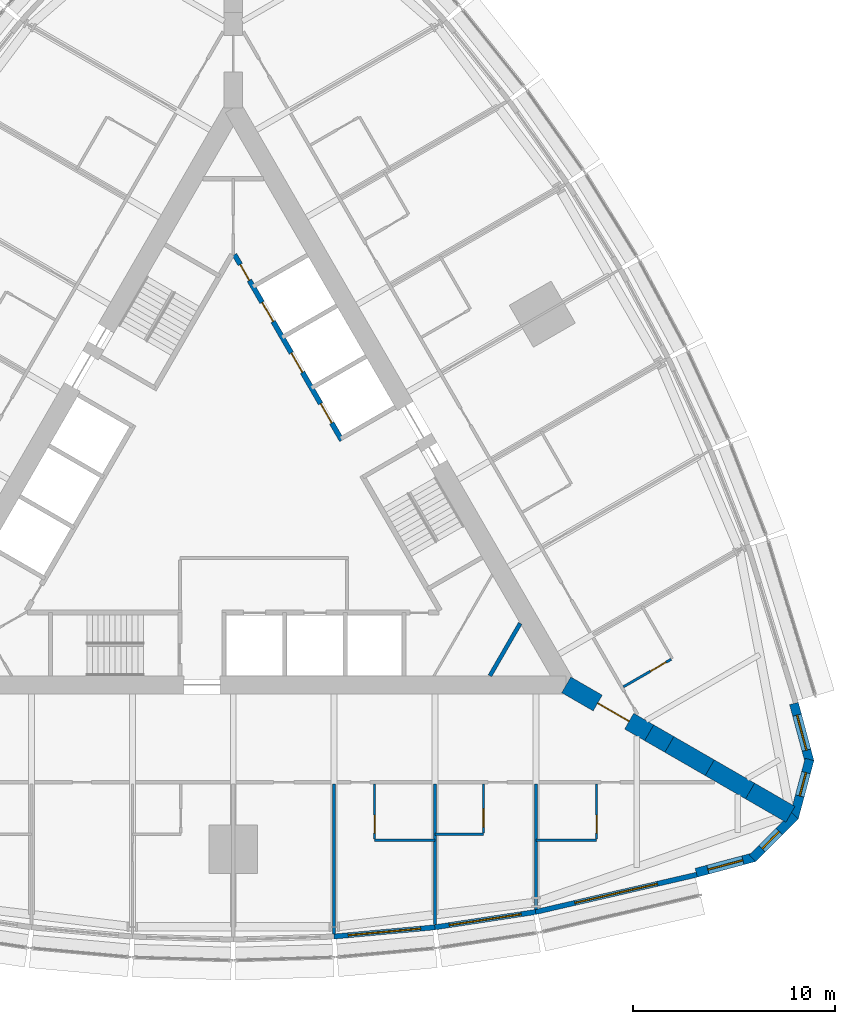
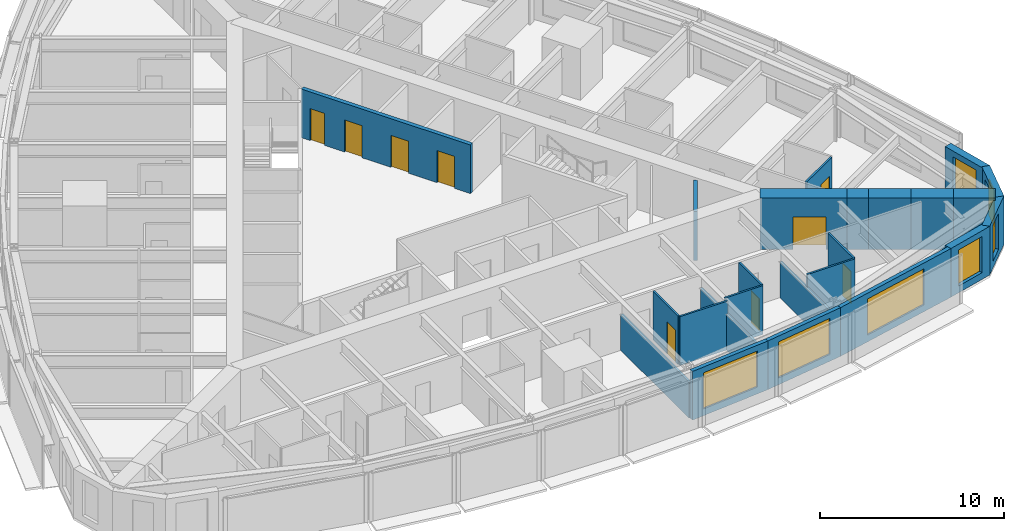
# One storey, part 10 of 14: 24 walls, 9 doors, 7 windows, 16 openings.
"""IFC4 building model written with IfcOpenShell, lengths in metres."""

from ifc_helpers import new_model, si_unit, direction, frame, frame_2d, origin, place, context, subcontext, project, spatial, polyline, rectangle, outline, extrude, material, layer, layer_set, type_object, element, fill, save


model = new_model("IFC4")

# Units and contexts
model_context = context("Model", 3, precision=1e-05, world=origin(), true_north=direction((0.0, 1.0)))
body_context = subcontext(model_context, "Body", "Model", "MODEL_VIEW")
ifc_project = project(units=[si_unit("LENGTHUNIT", "METRE"), si_unit("AREAUNIT", "SQUARE_METRE"), si_unit("VOLUMEUNIT", "CUBIC_METRE"), si_unit("PLANEANGLEUNIT", "RADIAN"), si_unit("MASSUNIT", "GRAM", prefix="KILO")], contexts=[model_context])

# Site, building, storey
site_placement = place(None, origin())
site = spatial("IfcSite", under=ifc_project, at=site_placement, CompositionType="ELEMENT")
building_placement = place(site_placement, origin())
building = spatial("IfcBuilding", under=site, at=building_placement, Name="Trikona Tower", CompositionType="ELEMENT")
storey_placement = place(building_placement, frame((0.0, 0.0, 76.10009765625)))
storey = spatial("IfcBuildingStorey", under=building, at=storey_placement, Name="L19", CompositionType="ELEMENT", Elevation=76.10009765625)

# Wall
ifc_material_1 = material(Name="Metal stud and cement board", Category="gypsum")
ifc_layer_1 = layer(ifc_material_1, 0.1201171875)
ifc_layer_set_1 = layer_set([ifc_layer_1], Name="Bathroom wall 120")
wall_type_1 = type_object("IfcWallType", Name="Bathroom wall 120", PredefinedType="PLUMBINGWALL", material=ifc_layer_set_1)
wall_1_placement = place(storey_placement, frame((7.0, -17.226318359375, 0.0), z_axis=(0.0, 0.0, 1.0), x_axis=(1.0, 0.0, 0.0)))
element("IfcWall", 1, at=wall_1_placement, inside=storey, type_object=wall_type_1, Name="Bathroom wall 1904", PredefinedType="PLUMBINGWALL", context=body_context, shape_type="SweptSolid", body=[
    extrude(rectangle(XDim=3.0, YDim=0.1201171875, at=frame_2d((1.5, 0.0))), origin(), (0.0, 0.0, 1.0), 3.23486328125),
])

# Wall, opening, door
wall_2_placement = place(storey_placement, frame((7.0, -14.42626953125, 0.0), z_axis=(0.0, 0.0, 1.0), x_axis=(0.0, -1.0, 0.0)))
wall_2 = element("IfcWall", 2, at=wall_2_placement, inside=storey, type_object=wall_type_1, Name="Bathroom wall 1904", PredefinedType="PLUMBINGWALL", context=body_context, shape_type="SweptSolid", body=[
    extrude(rectangle(XDim=2.739990234375, YDim=0.1201171875, at=frame_2d((1.3701171875, 0.0))), origin(), (0.0, 0.0, 1.0), 3.23486328125),
])
opening_1_placement = place(wall_2_placement, frame((1.550048828125, 0.0, 0.0)))
opening_1 = element("IfcOpeningElement", 3, at=opening_1_placement, cuts=wall_2, Name="Opening D2", PredefinedType="OPENING", context=body_context, shape_type="SweptSolid", body=[
    extrude(rectangle(XDim=0.89990234375, YDim=2.1298828125, at=frame_2d((0.449951171875, 1.06494140625))), frame((0.0, 0.070068359375, 0.0), z_axis=(0.0, -1.0, 0.0), x_axis=(1.0, 0.0, 0.0)), (0.0, 0.0, 1.0), 0.14013671875),
])
ifc_material_2 = material(Name="Steel door frame with solid-core timber leaf", Category="steel")
door_type_1 = type_object("IfcDoorType", Name="Bathroom door 900x2130", OperationType="SLIDING_TO_LEFT", PredefinedType="DOOR", material=ifc_material_2)
door_1_placement = place(opening_1_placement, origin())
door_1 = element("IfcDoor", 4, at=door_1_placement, inside=storey, type_object=door_type_1, Name="Bathroom door 1904", OperationType="SLIDING_TO_LEFT", OverallHeight=2.1298828125, OverallWidth=0.89990234375, PredefinedType="DOOR", context=body_context, shape_type="SweptSolid", body=[
    extrude(rectangle(XDim=0.89990234375, YDim=2.1298828125, at=frame_2d((0.449951171875, 1.06494140625))), frame((0.0, 0.02490234375, 0.0), z_axis=(0.0, -1.0, 0.0), x_axis=(1.0, 0.0, 0.0)), (0.0, 0.0, 1.0), 0.050048828125),
])
fill(opening_1, door_1)

# Wall
wall_3_placement = place(storey_placement, frame((10.0, -16.92626953125, 0.0), z_axis=(0.0, 0.0, 1.0), x_axis=(1.0, 0.0, 0.0)))
element("IfcWall", 5, at=wall_3_placement, inside=storey, type_object=wall_type_1, Name="Bathroom wall 1905", PredefinedType="PLUMBINGWALL", context=body_context, shape_type="SweptSolid", body=[
    extrude(rectangle(XDim=2.39990234375, YDim=0.1201171875, at=frame_2d((1.199951171875, 0.0))), origin(), (0.0, 0.0, 1.0), 3.23486328125),
])

# Wall, opening, door
wall_4_placement = place(storey_placement, frame((12.39990234375, -14.42626953125, 0.0), z_axis=(0.0, 0.0, 1.0), x_axis=(0.0, -1.0, 0.0)))
wall_4 = element("IfcWall", 6, at=wall_4_placement, inside=storey, type_object=wall_type_1, Name="Bathroom wall 1905", PredefinedType="PLUMBINGWALL", context=body_context, shape_type="SweptSolid", body=[
    extrude(rectangle(XDim=2.43994140625, YDim=0.1201171875, at=frame_2d((1.219970703125, 0.0))), origin(), (0.0, 0.0, 1.0), 3.23486328125),
])
opening_2_placement = place(wall_4_placement, frame((1.25, 0.0, 0.0)))
opening_2 = element("IfcOpeningElement", 7, at=opening_2_placement, cuts=wall_4, Name="Opening D2", PredefinedType="OPENING", context=body_context, shape_type="SweptSolid", body=[
    extrude(rectangle(XDim=0.89990234375, YDim=2.1298828125, at=frame_2d((0.449951171875, 1.06494140625))), frame((0.0, 0.070068359375, 0.0), z_axis=(0.0, -1.0, 0.0), x_axis=(1.0, 0.0, 0.0)), (0.0, 0.0, 1.0), 0.14013671875),
])
door_2_placement = place(opening_2_placement, origin())
door_2 = element("IfcDoor", 8, at=door_2_placement, inside=storey, type_object=door_type_1, Name="Bathroom door 1905", OperationType="SLIDING_TO_LEFT", OverallHeight=2.1298828125, OverallWidth=0.89990234375, PredefinedType="DOOR", context=body_context, shape_type="SweptSolid", body=[
    extrude(rectangle(XDim=0.89990234375, YDim=2.1298828125, at=frame_2d((0.449951171875, 1.06494140625))), frame((0.0, 0.02490234375, 0.0), z_axis=(0.0, -1.0, 0.0), x_axis=(1.0, 0.0, 0.0)), (0.0, 0.0, 1.0), 0.050048828125),
])
fill(opening_2, door_2)

# Wall
wall_5_placement = place(storey_placement, frame((15.0, -17.226318359375, 0.0), z_axis=(0.0, 0.0, 1.0), x_axis=(1.0, 0.0, 0.0)))
element("IfcWall", 9, at=wall_5_placement, inside=storey, type_object=wall_type_1, Name="Bathroom wall 1906", PredefinedType="PLUMBINGWALL", context=body_context, shape_type="SweptSolid", body=[
    extrude(rectangle(XDim=3.0, YDim=0.1201171875, at=frame_2d((1.5, 0.0))), origin(), (0.0, 0.0, 1.0), 3.23486328125),
])

# Wall, opening, door
wall_6_placement = place(storey_placement, frame((18.0, -14.42626953125, 0.0), z_axis=(0.0, 0.0, 1.0), x_axis=(0.0, -1.0, 0.0)))
wall_6 = element("IfcWall", 10, at=wall_6_placement, inside=storey, type_object=wall_type_1, Name="Bathroom wall 1906", PredefinedType="PLUMBINGWALL", context=body_context, shape_type="SweptSolid", body=[
    extrude(rectangle(XDim=2.739990234375, YDim=0.1201171875, at=frame_2d((1.3701171875, 0.0))), origin(), (0.0, 0.0, 1.0), 3.23486328125),
])
opening_3_placement = place(wall_6_placement, frame((1.550048828125, 0.0, 0.0)))
opening_3 = element("IfcOpeningElement", 11, at=opening_3_placement, cuts=wall_6, Name="Opening D2", PredefinedType="OPENING", context=body_context, shape_type="SweptSolid", body=[
    extrude(rectangle(XDim=0.89990234375, YDim=2.1298828125, at=frame_2d((0.449951171875, 1.06494140625))), frame((0.0, 0.070068359375, 0.0), z_axis=(0.0, -1.0, 0.0), x_axis=(1.0, 0.0, 0.0)), (0.0, 0.0, 1.0), 0.14013671875),
])
door_3_placement = place(opening_3_placement, origin())
door_3 = element("IfcDoor", 12, at=door_3_placement, inside=storey, type_object=door_type_1, Name="Bathroom door 1906", OperationType="SLIDING_TO_LEFT", OverallHeight=2.1298828125, OverallWidth=0.89990234375, PredefinedType="DOOR", context=body_context, shape_type="SweptSolid", body=[
    extrude(rectangle(XDim=0.89990234375, YDim=2.1298828125, at=frame_2d((0.449951171875, 1.06494140625))), frame((0.0, 0.02490234375, 0.0), z_axis=(0.0, -1.0, 0.0), x_axis=(1.0, 0.0, 0.0)), (0.0, 0.0, 1.0), 0.050048828125),
])
fill(opening_3, door_3)

wall_7_placement = place(storey_placement, frame((19.32861328125, -9.625244140625, 0.0), z_axis=(0.0, 0.0, 1.0), x_axis=(0.866035715982, 0.499982138324, 0.0)))
wall_7 = element("IfcWall", 13, at=wall_7_placement, inside=storey, type_object=wall_type_1, Name="Bathroom wall 1907", PredefinedType="PLUMBINGWALL", context=body_context, shape_type="SweptSolid", body=[
    extrude(rectangle(XDim=2.73974609375, YDim=0.1201171875, at=frame_2d((1.369873046875, 0.0))), origin(), (0.0, 0.0, 1.0), 3.23486328125),
])
opening_4_placement = place(wall_7_placement, frame((1.550048828125, 0.0, 0.0)))
opening_4 = element("IfcOpeningElement", 14, at=opening_4_placement, cuts=wall_7, Name="Opening D2", PredefinedType="OPENING", context=body_context, shape_type="SweptSolid", body=[
    extrude(rectangle(XDim=0.89990234375, YDim=2.1298828125, at=frame_2d((0.449951171875, 1.06494140625))), frame((0.0, 0.070068359375, 0.0), z_axis=(0.0, -1.0, 0.0), x_axis=(1.0, 0.0, 0.0)), (0.0, 0.0, 1.0), 0.14013671875),
])
door_4_placement = place(opening_4_placement, origin())
door_4 = element("IfcDoor", 15, at=door_4_placement, inside=storey, type_object=door_type_1, Name="Bathroom door 1907", OperationType="SLIDING_TO_LEFT", OverallHeight=2.1298828125, OverallWidth=0.89990234375, PredefinedType="DOOR", context=body_context, shape_type="SweptSolid", body=[
    extrude(rectangle(XDim=0.89990234375, YDim=2.1298828125, at=frame_2d((0.449951171875, 1.06494140625))), frame((0.0, 0.02490234375, 0.0), z_axis=(0.0, -1.0, 0.0), x_axis=(1.0, 0.0, 0.0)), (0.0, 0.0, 1.0), 0.050048828125),
])
fill(opening_4, door_4)

# Wall, opening, window
ifc_material_3 = material(Name="Brick-faced precast concrete", Category="masonry")
ifc_layer_2 = layer(ifc_material_3, 0.449951171875)
ifc_layer_set_2 = layer_set([ifc_layer_2], Name="Brick-faced corner wall 450")
wall_type_2 = type_object("IfcWallType", Name="Brick-faced corner wall 450", PredefinedType="SOLIDWALL", material=ifc_layer_set_2)
wall_8_placement = place(storey_placement, frame((22.94189453125, -18.835205078125, 0.0), z_axis=(0.0, 0.0, 1.0), x_axis=(0.965930548995, 0.258801419081, 0.0)))
wall_8 = element("IfcWall", 16, at=wall_8_placement, inside=storey, type_object=wall_type_2, Name="External wall L19-08", PredefinedType="SOLIDWALL", context=body_context, shape_type="SweptSolid", body=[
    extrude(rectangle(XDim=2.988525390625, YDim=0.449951171875, at=frame_2d((1.494140625, 0.0))), origin(), (0.0, 0.0, 1.0), 3.23486328125),
])
opening_5_placement = place(wall_8_placement, frame((0.59423828125, 0.0, 0.449951171875)))
opening_5 = element("IfcOpeningElement", 17, at=opening_5_placement, cuts=wall_8, Name="Opening W1824", PredefinedType="OPENING", context=body_context, shape_type="SweptSolid", body=[
    extrude(rectangle(XDim=1.800048828125, YDim=2.39990234375, at=frame_2d((0.89990234375, 1.199951171875))), frame((0.0, 0.23486328125, 0.0), z_axis=(0.0, -1.0, 0.0), x_axis=(1.0, 0.0, 0.0)), (0.0, 0.0, 1.0), 0.469970703125),
])
ifc_material_4 = material(Name="Aluminium-framed double glazing", Category="aluminium")
window_type_1 = type_object("IfcWindowType", Name="Window 1800x2400", PartitioningType="SINGLE_PANEL", PredefinedType="WINDOW", material=ifc_material_4)
window_1_placement = place(opening_5_placement, origin())
window_1 = element("IfcWindow", 18, at=window_1_placement, inside=storey, type_object=window_type_1, Name="Window 1906", OverallHeight=2.39990234375, OverallWidth=1.800048828125, PartitioningType="SINGLE_PANEL", PredefinedType="WINDOW", context=body_context, shape_type="SweptSolid", body=[
    extrude(rectangle(XDim=1.800048828125, YDim=2.39990234375, at=frame_2d((0.89990234375, 1.199951171875))), frame((0.0, 0.030029296875, 0.0), z_axis=(0.0, -1.0, 0.0), x_axis=(1.0, 0.0, 0.0)), (0.0, 0.0, 1.0), 0.06005859375),
])
fill(opening_5, window_1)

wall_9_placement = place(storey_placement, frame((25.727783203125, -18.1201171875, 0.0), z_axis=(0.0, 0.0, 1.0), x_axis=(0.707025086683, 0.707188466253, 0.0)))
wall_9 = element("IfcWall", 19, at=wall_9_placement, inside=storey, type_object=wall_type_2, Name="External wall L19-09", PredefinedType="SOLIDWALL", context=body_context, shape_type="SweptSolid", body=[
    extrude(outline(polyline([(2.988525390625, 0.22509765625), (2.929931640625, 0.22509765625), (2.4375, 0.093017578125), (2.402099609375, 0.22509765625), (0.0, 0.22509765625), (0.0, -0.22509765625), (2.988525390625, -0.22509765625), (2.988525390625, 0.22509765625)])), origin(), (0.0, 0.0, 1.0), 3.23486328125),
])
opening_6_placement = place(wall_9_placement, frame((0.676025390625, 0.0, 0.449951171875)))
opening_6 = element("IfcOpeningElement", 20, at=opening_6_placement, cuts=wall_9, Name="Opening W1224", PredefinedType="OPENING", context=body_context, shape_type="SweptSolid", body=[
    extrude(rectangle(XDim=1.199951171875, YDim=2.39990234375, at=frame_2d((0.60009765625, 1.199951171875))), frame((0.0, 0.23486328125, 0.0), z_axis=(0.0, -1.0, 0.0), x_axis=(1.0, 0.0, 0.0)), (0.0, 0.0, 1.0), 0.469970703125),
])
ifc_material_5 = material(Name="Aluminium-framed double glazing", Category="aluminium")
window_type_2 = type_object("IfcWindowType", Name="Window 1200x2400", PartitioningType="SINGLE_PANEL", PredefinedType="WINDOW", material=ifc_material_5)
window_2_placement = place(opening_6_placement, origin())
window_2 = element("IfcWindow", 21, at=window_2_placement, inside=storey, type_object=window_type_2, Name="Window 1906", OverallHeight=2.39990234375, OverallWidth=1.199951171875, PartitioningType="SINGLE_PANEL", PredefinedType="WINDOW", context=body_context, shape_type="SweptSolid", body=[
    extrude(rectangle(XDim=1.199951171875, YDim=2.39990234375, at=frame_2d((0.60009765625, 1.199951171875))), frame((0.0, 0.030029296875, 0.0), z_axis=(0.0, -1.0, 0.0), x_axis=(1.0, 0.0, 0.0)), (0.0, 0.0, 1.0), 0.06005859375),
])
fill(opening_6, window_2)

wall_10_placement = place(storey_placement, frame((27.78271484375, -16.107666015625, 0.0), z_axis=(0.0, 0.0, 1.0), x_axis=(0.258801419081, 0.965930548995, 0.0)))
wall_10 = element("IfcWall", 22, at=wall_10_placement, inside=storey, type_object=wall_type_2, Name="External wall L19-10", PredefinedType="SOLIDWALL", context=body_context, shape_type="SweptSolid", body=[
    extrude(outline(polyline([(2.988525390625, 0.22509765625), (0.58642578125, 0.22509765625), (0.55126953125, 0.09326171875), (0.0595703125, 0.22509765625), (0.0, 0.22509765625), (0.0, -0.22509765625), (2.988525390625, -0.22509765625), (2.988525390625, 0.22509765625)])), origin(), (0.0, 0.0, 1.0), 3.23486328125),
])
opening_7_placement = place(wall_10_placement, frame((1.112548828125, 0.0, 0.449951171875)))
opening_7 = element("IfcOpeningElement", 23, at=opening_7_placement, cuts=wall_10, Name="Opening W1224", PredefinedType="OPENING", context=body_context, shape_type="SweptSolid", body=[
    extrude(rectangle(XDim=1.199951171875, YDim=2.39990234375, at=frame_2d((0.60009765625, 1.199951171875))), frame((0.0, 0.23486328125, 0.0), z_axis=(0.0, -1.0, 0.0), x_axis=(1.0, 0.0, 0.0)), (0.0, 0.0, 1.0), 0.469970703125),
])
window_3_placement = place(opening_7_placement, origin())
window_3 = element("IfcWindow", 24, at=window_3_placement, inside=storey, type_object=window_type_2, Name="Window 1907", OverallHeight=2.39990234375, OverallWidth=1.199951171875, PartitioningType="SINGLE_PANEL", PredefinedType="WINDOW", context=body_context, shape_type="SweptSolid", body=[
    extrude(rectangle(XDim=1.199951171875, YDim=2.39990234375, at=frame_2d((0.60009765625, 1.199951171875))), frame((0.0, 0.030029296875, 0.0), z_axis=(0.0, -1.0, 0.0), x_axis=(1.0, 0.0, 0.0)), (0.0, 0.0, 1.0), 0.06005859375),
])
fill(opening_7, window_3)

wall_11_placement = place(storey_placement, frame((28.55615234375, -13.33740234375, 0.0), z_axis=(0.0, 0.0, 1.0), x_axis=(-0.258780998834, 0.965936019953, 0.0)))
wall_11 = element("IfcWall", 25, at=wall_11_placement, inside=storey, type_object=wall_type_2, Name="External wall L19-11", PredefinedType="SOLIDWALL", context=body_context, shape_type="SweptSolid", body=[
    extrude(rectangle(XDim=2.98876953125, YDim=0.449951171875, at=frame_2d((1.494384765625, 0.0))), origin(), (0.0, 0.0, 1.0), 3.23486328125),
])
opening_8_placement = place(wall_11_placement, frame((0.59423828125, 0.0, 0.449951171875)))
opening_8 = element("IfcOpeningElement", 26, at=opening_8_placement, cuts=wall_11, Name="Opening W1824", PredefinedType="OPENING", context=body_context, shape_type="SweptSolid", body=[
    extrude(rectangle(XDim=1.800048828125, YDim=2.39990234375, at=frame_2d((0.89990234375, 1.199951171875))), frame((0.0, 0.23486328125, 0.0), z_axis=(0.0, -1.0, 0.0), x_axis=(1.0, 0.0, 0.0)), (0.0, 0.0, 1.0), 0.469970703125),
])
window_4_placement = place(opening_8_placement, origin())
window_4 = element("IfcWindow", 27, at=window_4_placement, inside=storey, type_object=window_type_1, Name="Window 1907", OverallHeight=2.39990234375, OverallWidth=1.800048828125, PartitioningType="SINGLE_PANEL", PredefinedType="WINDOW", context=body_context, shape_type="SweptSolid", body=[
    extrude(rectangle(XDim=1.800048828125, YDim=2.39990234375, at=frame_2d((0.89990234375, 1.199951171875))), frame((0.0, 0.030029296875, 0.0), z_axis=(0.0, -1.0, 0.0), x_axis=(1.0, 0.0, 0.0)), (0.0, 0.0, 1.0), 0.06005859375),
])
fill(opening_8, window_4)

# Wall, opening, door
ifc_material_6 = material(Name="Concrete f'c 10000 psi", Category="concrete")
ifc_layer_3 = layer(ifc_material_6, 0.89990234375)
ifc_layer_set_3 = layer_set([ifc_layer_3], Name="Buttress wall 900")
wall_type_3 = type_object("IfcWallType", Name="Buttress wall 900", PredefinedType="SHEAR", material=ifc_layer_set_3)
wall_12_placement = place(storey_placement, frame((16.5, -9.5263671875, 0.0), z_axis=(0.0, 0.0, 1.0), x_axis=(0.866031398331, -0.499989616998, 0.0)))
wall_12 = element("IfcWall", 28, at=wall_12_placement, inside=storey, type_object=wall_type_3, Name="Buttress wall 1", PredefinedType="SHEAR", context=body_context, shape_type="SweptSolid", body=[
    extrude(rectangle(XDim=4.74609375, YDim=0.89990234375, at=frame_2d((2.373046875, 0.0))), origin(), (0.0, 0.0, 1.0), 3.39990234375),
])
opening_9_placement = place(wall_12_placement, frame((1.800048828125, 0.0, 0.0)))
opening_9 = element("IfcOpeningElement", 29, at=opening_9_placement, cuts=wall_12, Name="Opening D10", PredefinedType="OPENING", context=body_context, shape_type="SweptSolid", body=[
    extrude(rectangle(XDim=1.800048828125, YDim=2.1298828125, at=frame_2d((0.89990234375, 1.06494140625))), frame((0.0, 0.4599609375, 0.0), z_axis=(0.0, -1.0, 0.0), x_axis=(1.0, 0.0, 0.0)), (0.0, 0.0, 1.0), 0.919921875),
])
ifc_material_7 = material(Name="Hollow metal door and frame", Category="steel")
door_type_2 = type_object("IfcDoorType", Name="Cross-corridor door pair 1800x2130", OperationType="DOUBLE_DOOR_DOUBLE_SWING", PredefinedType="DOOR", material=ifc_material_7)
door_5_placement = place(opening_9_placement, origin())
door_5 = element("IfcDoor", 30, at=door_5_placement, inside=storey, type_object=door_type_2, Name="Cross-corridor door 1", OperationType="DOUBLE_DOOR_DOUBLE_SWING", OverallHeight=2.1298828125, OverallWidth=1.800048828125, PredefinedType="DOOR", context=body_context, shape_type="SweptSolid", body=[
    extrude(rectangle(XDim=1.800048828125, YDim=2.1298828125, at=frame_2d((0.89990234375, 1.06494140625))), frame((0.0, 0.02490234375, 0.0), z_axis=(0.0, -1.0, 0.0), x_axis=(1.0, 0.0, 0.0)), (0.0, 0.0, 1.0), 0.050048828125),
])
fill(opening_9, door_5)

# Walls
wall_13_placement = place(storey_placement, frame((20.6103515625, -11.8994140625, 0.0), z_axis=(0.0, 0.0, 1.0), x_axis=(0.866009537788, -0.500027479704, 0.0)))
element("IfcWall", 31, at=wall_13_placement, inside=storey, type_object=wall_type_3, Name="Buttress wall 1 part 2", PredefinedType="SHEAR", context=body_context, shape_type="SweptSolid", body=[
    extrude(rectangle(XDim=1.15478515625, YDim=0.89990234375, at=frame_2d((0.577392578125, 0.0))), origin(), (0.0, 0.0, 1.0), 3.39990234375),
])
for number, where, z_axis, x_axis, name in (
    (32, (21.6103515625, -12.476806640625, 0.0), (0.0, 0.0, 1.0), (0.866055313784, -0.499948190782, 0.0), "Buttress wall 1 part 3"),
    (33, (23.6103515625, -13.63134765625, 0.0), (0.0, 0.0, 1.0), (0.866009537788, -0.500027479704, 0.0), "Buttress wall 1 part 4"),
    (34, (25.6103515625, -14.7861328125, 0.0), (0.0, 0.0, 1.0), (0.866009537788, -0.500027479704, 0.0), "Buttress wall 1 part 5"),
):
    element("IfcWall", number, at=place(storey_placement, frame(where, z_axis=z_axis, x_axis=x_axis)), inside=storey, type_object=wall_type_3, Name=name, PredefinedType="SHEAR", context=body_context, shape_type="SweptSolid", body=[
        extrude(rectangle(XDim=2.309326171875, YDim=0.89990234375, at=frame_2d((1.15478515625, 0.0))), origin(), (0.0, 0.0, 1.0), 3.39990234375),
    ])

# Wall, openings, doors
ifc_material_8 = material(Name="Concrete f'c 8000 psi", Category="concrete")
ifc_layer_4 = layer(ifc_material_8, 0.25)
ifc_layer_set_4 = layer_set([ifc_layer_4], Name="Hub wall 250")
wall_type_4 = type_object("IfcWallType", Name="Hub wall 250", PredefinedType="SOLIDWALL", material=ifc_layer_set_4)
wall_14_placement = place(storey_placement, frame((5.37890625, 2.5859375, 0.0), z_axis=(0.0, 0.0, 1.0), x_axis=(-0.500001375892, 0.866024609411, 0.0)))
wall_14 = element("IfcWall", 35, at=wall_14_placement, inside=storey, type_object=wall_type_4, Name="Lift lobby wall B2", PredefinedType="SOLIDWALL", context=body_context, shape_type="SweptSolid", body=[
    extrude(rectangle(XDim=10.6328125, YDim=0.25, at=frame_2d((5.31640625, 0.0))), origin(), (0.0, 0.0, 1.0), 3.23486328125),
])
opening_10_placement = place(wall_14_placement, frame((9.1640625, 0.0, 0.0)))
opening_10 = element("IfcOpeningElement", 36, at=opening_10_placement, cuts=wall_14, Name="Opening D14", PredefinedType="OPENING", context=body_context, shape_type="SweptSolid", body=[
    extrude(rectangle(XDim=0.89990234375, YDim=2.1298828125, at=frame_2d((0.449951171875, 1.06494140625))), frame((0.0, 0.135009765625, 0.0), z_axis=(0.0, -1.0, 0.0), x_axis=(1.0, 0.0, 0.0)), (0.0, 0.0, 1.0), 0.27001953125),
])
opening_11_placement = place(wall_14_placement, frame((1.0, 0.0, 0.0)))
opening_11 = element("IfcOpeningElement", 37, at=opening_11_placement, cuts=wall_14, Name="Opening LD", PredefinedType="OPENING", context=body_context, shape_type="SweptSolid", body=[
    extrude(rectangle(XDim=1.10009765625, YDim=2.1298828125, at=frame_2d((0.550048828125, 1.06494140625))), frame((0.0, 0.135009765625, 0.0), z_axis=(0.0, -1.0, 0.0), x_axis=(1.0, 0.0, 0.0)), (0.0, 0.0, 1.0), 0.27001953125),
])
opening_12_placement = place(wall_14_placement, frame((3.89990234375, 0.0, 0.0)))
opening_12 = element("IfcOpeningElement", 38, at=opening_12_placement, cuts=wall_14, Name="Opening LD", PredefinedType="OPENING", context=body_context, shape_type="SweptSolid", body=[
    extrude(rectangle(XDim=1.10009765625, YDim=2.1298828125, at=frame_2d((0.550048828125, 1.06494140625))), frame((0.0, 0.135009765625, 0.0), z_axis=(0.0, -1.0, 0.0), x_axis=(1.0, 0.0, 0.0)), (0.0, 0.0, 1.0), 0.27001953125),
])
opening_13_placement = place(wall_14_placement, frame((6.800048828125, 0.0, 0.0)))
opening_13 = element("IfcOpeningElement", 39, at=opening_13_placement, cuts=wall_14, Name="Opening LD", PredefinedType="OPENING", context=body_context, shape_type="SweptSolid", body=[
    extrude(rectangle(XDim=1.10009765625, YDim=2.1298828125, at=frame_2d((0.550048828125, 1.06494140625))), frame((0.0, 0.135009765625, 0.0), z_axis=(0.0, -1.0, 0.0), x_axis=(1.0, 0.0, 0.0)), (0.0, 0.0, 1.0), 0.27001953125),
])
ifc_material_9 = material(Name="Stainless steel lift landing door", Category="steel")
door_type_3 = type_object("IfcDoorType", Name="Lift landing door 1100x2130", OperationType="DOUBLE_DOOR_SLIDING", PredefinedType="USERDEFINED", material=ifc_material_9)
door_6_placement = place(opening_11_placement, origin())
door_6 = element("IfcDoor", 40, at=door_6_placement, inside=storey, type_object=door_type_3, Name="Lift landing door L1-1", ObjectType="LIFT LANDING DOOR", OperationType="DOUBLE_DOOR_SLIDING", OverallHeight=2.1298828125, OverallWidth=1.10009765625, PredefinedType="USERDEFINED", context=body_context, shape_type="SweptSolid", body=[
    extrude(rectangle(XDim=1.10009765625, YDim=2.1298828125, at=frame_2d((0.550048828125, 1.06494140625))), frame((0.0, 0.02490234375, 0.0), z_axis=(0.0, -1.0, 0.0), x_axis=(1.0, 0.0, 0.0)), (0.0, 0.0, 1.0), 0.050048828125),
])
fill(opening_11, door_6)
door_7_placement = place(opening_12_placement, origin())
door_7 = element("IfcDoor", 41, at=door_7_placement, inside=storey, type_object=door_type_3, Name="Lift landing door L1-2", ObjectType="LIFT LANDING DOOR", OperationType="DOUBLE_DOOR_SLIDING", OverallHeight=2.1298828125, OverallWidth=1.10009765625, PredefinedType="USERDEFINED", context=body_context, shape_type="SweptSolid", body=[
    extrude(rectangle(XDim=1.10009765625, YDim=2.1298828125, at=frame_2d((0.550048828125, 1.06494140625))), frame((0.0, 0.02490234375, 0.0), z_axis=(0.0, -1.0, 0.0), x_axis=(1.0, 0.0, 0.0)), (0.0, 0.0, 1.0), 0.050048828125),
])
fill(opening_12, door_7)
door_8_placement = place(opening_13_placement, origin())
door_8 = element("IfcDoor", 42, at=door_8_placement, inside=storey, type_object=door_type_3, Name="Lift landing door L1-3", ObjectType="LIFT LANDING DOOR", OperationType="DOUBLE_DOOR_SLIDING", OverallHeight=2.1298828125, OverallWidth=1.10009765625, PredefinedType="USERDEFINED", context=body_context, shape_type="SweptSolid", body=[
    extrude(rectangle(XDim=1.10009765625, YDim=2.1298828125, at=frame_2d((0.550048828125, 1.06494140625))), frame((0.0, 0.02490234375, 0.0), z_axis=(0.0, -1.0, 0.0), x_axis=(1.0, 0.0, 0.0)), (0.0, 0.0, 1.0), 0.050048828125),
])
fill(opening_13, door_8)
ifc_material_10 = material(Name="Hollow metal door and frame", Category="steel")
door_type_4 = type_object("IfcDoorType", Name="Service room door 900x2130", OperationType="SINGLE_SWING_LEFT", PredefinedType="DOOR", material=ifc_material_10)
door_9_placement = place(opening_10_placement, origin())
door_9 = element("IfcDoor", 43, at=door_9_placement, inside=storey, type_object=door_type_4, Name="Door Housekeeping store HKS", OperationType="SINGLE_SWING_RIGHT", OverallHeight=2.1298828125, OverallWidth=0.89990234375, PredefinedType="DOOR", context=body_context, shape_type="SweptSolid", body=[
    extrude(rectangle(XDim=0.89990234375, YDim=2.1298828125, at=frame_2d((0.449951171875, 1.06494140625))), frame((0.0, 0.02490234375, 0.0), z_axis=(0.0, -1.0, 0.0), x_axis=(1.0, 0.0, 0.0)), (0.0, 0.0, 1.0), 0.050048828125),
])
fill(opening_10, door_9)

# Wall, opening, window
ifc_material_11 = material(Name="Insulated precast concrete spandrel panel", Category="concrete")
ifc_layer_5 = layer(ifc_material_11, 0.25)
ifc_layer_set_5 = layer_set([ifc_layer_5], Name="Inner skin wall 250")
wall_type_5 = type_object("IfcWallType", Name="Inner skin wall 250", PredefinedType="STANDARD", material=ifc_layer_set_5)
wall_15_placement = place(storey_placement, frame((4.988525390625, -21.995849609375, 0.0), z_axis=(0.0, 0.0, 1.0), x_axis=(0.995857256774, 0.090930325692, 0.0)))
wall_15 = element("IfcWall", 44, at=wall_15_placement, inside=storey, type_object=wall_type_5, Name="External wall L19-05", PredefinedType="STANDARD", context=body_context, shape_type="SweptSolid", body=[
    extrude(rectangle(XDim=5.020751953125, YDim=0.25, at=frame_2d((2.51025390625, 0.0))), origin(), (0.0, 0.0, 1.0), 3.23486328125),
])
opening_14_placement = place(wall_15_placement, frame((0.71044921875, 0.0, 0.449951171875)))
opening_14 = element("IfcOpeningElement", 45, at=opening_14_placement, cuts=wall_15, Name="Opening W3624", PredefinedType="OPENING", context=body_context, shape_type="SweptSolid", body=[
    extrude(rectangle(XDim=3.60009765625, YDim=2.39990234375, at=frame_2d((1.800048828125, 1.199951171875))), frame((0.0, 0.135009765625, 0.0), z_axis=(0.0, -1.0, 0.0), x_axis=(1.0, 0.0, 0.0)), (0.0, 0.0, 1.0), 0.27001953125),
])
ifc_material_12 = material(Name="Aluminium-framed double glazing", Category="aluminium")
window_type_3 = type_object("IfcWindowType", Name="Window 3600x2400", PartitioningType="SINGLE_PANEL", PredefinedType="WINDOW", material=ifc_material_12)
window_5_placement = place(opening_14_placement, origin())
window_5 = element("IfcWindow", 46, at=window_5_placement, inside=storey, type_object=window_type_3, Name="Window 1904", OverallHeight=2.39990234375, OverallWidth=3.60009765625, PartitioningType="SINGLE_PANEL", PredefinedType="WINDOW", context=body_context, shape_type="SweptSolid", body=[
    extrude(rectangle(XDim=3.60009765625, YDim=2.39990234375, at=frame_2d((1.800048828125, 1.199951171875))), frame((0.0, 0.030029296875, 0.0), z_axis=(0.0, -1.0, 0.0), x_axis=(1.0, 0.0, 0.0)), (0.0, 0.0, 1.0), 0.06005859375),
])
fill(opening_14, window_5)

wall_16_placement = place(storey_placement, frame((9.981201171875, -21.540283203125, 0.0), z_axis=(0.0, 0.0, 1.0), x_axis=(0.988615403399, 0.150464561152, 0.0)))
wall_16 = element("IfcWall", 47, at=wall_16_placement, inside=storey, type_object=wall_type_5, Name="External wall L19-06", PredefinedType="STANDARD", context=body_context, shape_type="SweptSolid", body=[
    extrude(rectangle(XDim=5.0576171875, YDim=0.25, at=frame_2d((2.52880859375, 0.0))), origin(), (0.0, 0.0, 1.0), 3.23486328125),
])
opening_15_placement = place(wall_16_placement, frame((0.728759765625, 0.0, 0.449951171875)))
opening_15 = element("IfcOpeningElement", 48, at=opening_15_placement, cuts=wall_16, Name="Opening W3624", PredefinedType="OPENING", context=body_context, shape_type="SweptSolid", body=[
    extrude(rectangle(XDim=3.60009765625, YDim=2.39990234375, at=frame_2d((1.800048828125, 1.199951171875))), frame((0.0, 0.135009765625, 0.0), z_axis=(0.0, -1.0, 0.0), x_axis=(1.0, 0.0, 0.0)), (0.0, 0.0, 1.0), 0.27001953125),
])
window_6_placement = place(opening_15_placement, origin())
window_6 = element("IfcWindow", 49, at=window_6_placement, inside=storey, type_object=window_type_3, Name="Window 1905", OverallHeight=2.39990234375, OverallWidth=3.60009765625, PartitioningType="SINGLE_PANEL", PredefinedType="WINDOW", context=body_context, shape_type="SweptSolid", body=[
    extrude(rectangle(XDim=3.60009765625, YDim=2.39990234375, at=frame_2d((1.800048828125, 1.199951171875))), frame((0.0, 0.030029296875, 0.0), z_axis=(0.0, -1.0, 0.0), x_axis=(1.0, 0.0, 0.0)), (0.0, 0.0, 1.0), 0.06005859375),
])
fill(opening_15, window_6)

wall_17_placement = place(storey_placement, frame((14.9716796875, -20.78125, 0.0), z_axis=(0.0, 0.0, 1.0), x_axis=(0.974279327392, 0.225343720163, 0.0)))
wall_17 = element("IfcWall", 50, at=wall_17_placement, inside=storey, type_object=wall_type_5, Name="External wall L19-07", PredefinedType="STANDARD", context=body_context, shape_type="SweptSolid", body=[
    extrude(rectangle(XDim=8.211181640625, YDim=0.25, at=frame_2d((4.10546875, 0.0))), origin(), (0.0, 0.0, 1.0), 3.23486328125),
])
opening_16_placement = place(wall_17_placement, frame((2.005615234375, 0.0, 0.449951171875)))
opening_16 = element("IfcOpeningElement", 51, at=opening_16_placement, cuts=wall_17, Name="Opening W4224", PredefinedType="OPENING", context=body_context, shape_type="SweptSolid", body=[
    extrude(rectangle(XDim=4.199951171875, YDim=2.39990234375, at=frame_2d((2.10009765625, 1.199951171875))), frame((0.0, 0.135009765625, 0.0), z_axis=(0.0, -1.0, 0.0), x_axis=(1.0, 0.0, 0.0)), (0.0, 0.0, 1.0), 0.27001953125),
])
ifc_material_13 = material(Name="Aluminium-framed double glazing", Category="aluminium")
window_type_4 = type_object("IfcWindowType", Name="Window 4200x2400", PartitioningType="SINGLE_PANEL", PredefinedType="WINDOW", material=ifc_material_13)
window_7_placement = place(opening_16_placement, origin())
window_7 = element("IfcWindow", 52, at=window_7_placement, inside=storey, type_object=window_type_4, Name="Window 1906", OverallHeight=2.39990234375, OverallWidth=4.199951171875, PartitioningType="SINGLE_PANEL", PredefinedType="WINDOW", context=body_context, shape_type="SweptSolid", body=[
    extrude(rectangle(XDim=4.199951171875, YDim=2.39990234375, at=frame_2d((2.10009765625, 1.199951171875))), frame((0.0, 0.030029296875, 0.0), z_axis=(0.0, -1.0, 0.0), x_axis=(1.0, 0.0, 0.0)), (0.0, 0.0, 1.0), 0.06005859375),
])
fill(opening_16, window_7)

# Walls
ifc_material_14 = material(Name="Metal stud and gypsum board, 1-hour acoustic", Category="gypsum")
ifc_layer_6 = layer(ifc_material_14, 0.14990234375)
ifc_layer_set_6 = layer_set([ifc_layer_6], Name="Party wall 150")
wall_type_6 = type_object("IfcWallType", Name="Party wall 150", PredefinedType="PARTITIONING", material=ifc_layer_set_6)
wall_18_placement = place(storey_placement, frame((5.0, -14.42626953125, 0.0), z_axis=(0.0, 0.0, 1.0), x_axis=(0.0, -1.0, 0.0)))
element("IfcWall", 53, at=wall_18_placement, inside=storey, type_object=wall_type_6, Name="Partition L19 F1 u5", PredefinedType="PARTITIONING", context=body_context, shape_type="SweptSolid", body=[
    extrude(rectangle(XDim=7.443115234375, YDim=0.14990234375, at=frame_2d((3.7216796875, 0.0))), origin(), (0.0, 0.0, 1.0), 2.38916015625),
])
wall_19_placement = place(storey_placement, frame((10.0, -14.42626953125, 0.0), z_axis=(0.0, 0.0, 1.0), x_axis=(0.0, -1.0, 0.0)))
element("IfcWall", 54, at=wall_19_placement, inside=storey, type_object=wall_type_6, Name="Partition L19 F1 u10", PredefinedType="PARTITIONING", context=body_context, shape_type="SweptSolid", body=[
    extrude(rectangle(XDim=6.984619140625, YDim=0.14990234375, at=frame_2d((3.4921875, 0.0))), origin(), (0.0, 0.0, 1.0), 2.38916015625),
])
wall_20_placement = place(storey_placement, frame((15.0, -14.42626953125, 0.0), z_axis=(0.0, 0.0, 1.0), x_axis=(0.0, -1.0, 0.0)))
element("IfcWall", 55, at=wall_20_placement, inside=storey, type_object=wall_type_6, Name="Partition L19 F1 u15", PredefinedType="PARTITIONING", context=body_context, shape_type="SweptSolid", body=[
    extrude(rectangle(XDim=6.22021484375, YDim=0.14990234375, at=frame_2d((3.110107421875, 0.0))), origin(), (0.0, 0.0, 1.0), 2.38916015625),
])
ifc_material_15 = material(Name="Concrete f'c 8000 psi", Category="concrete")
ifc_layer_7 = layer(ifc_material_15, 0.199951171875)
ifc_layer_set_7 = layer_set([ifc_layer_7], Name="Shaft wall 200")
wall_type_7 = type_object("IfcWallType", Name="Shaft wall 200", PredefinedType="SOLIDWALL", material=ifc_layer_set_7)
wall_21_placement = place(storey_placement, frame((14.219482421875, -6.476318359375, 0.0), z_axis=(0.0, 0.0, 1.0), x_axis=(-0.499952404951, -0.866052881055, 0.0)))
element("IfcWall", 56, at=wall_21_placement, inside=storey, type_object=wall_type_7, Name="Riser wall L19-RS1", PredefinedType="SOLIDWALL", context=body_context, shape_type="SweptSolid", body=[
    extrude(rectangle(XDim=3.002197265625, YDim=0.199951171875, at=frame_2d((1.5009765625, 0.0))), origin(), (0.0, 0.0, 1.0), 3.23486328125),
])

save(model, "model.ifc")
